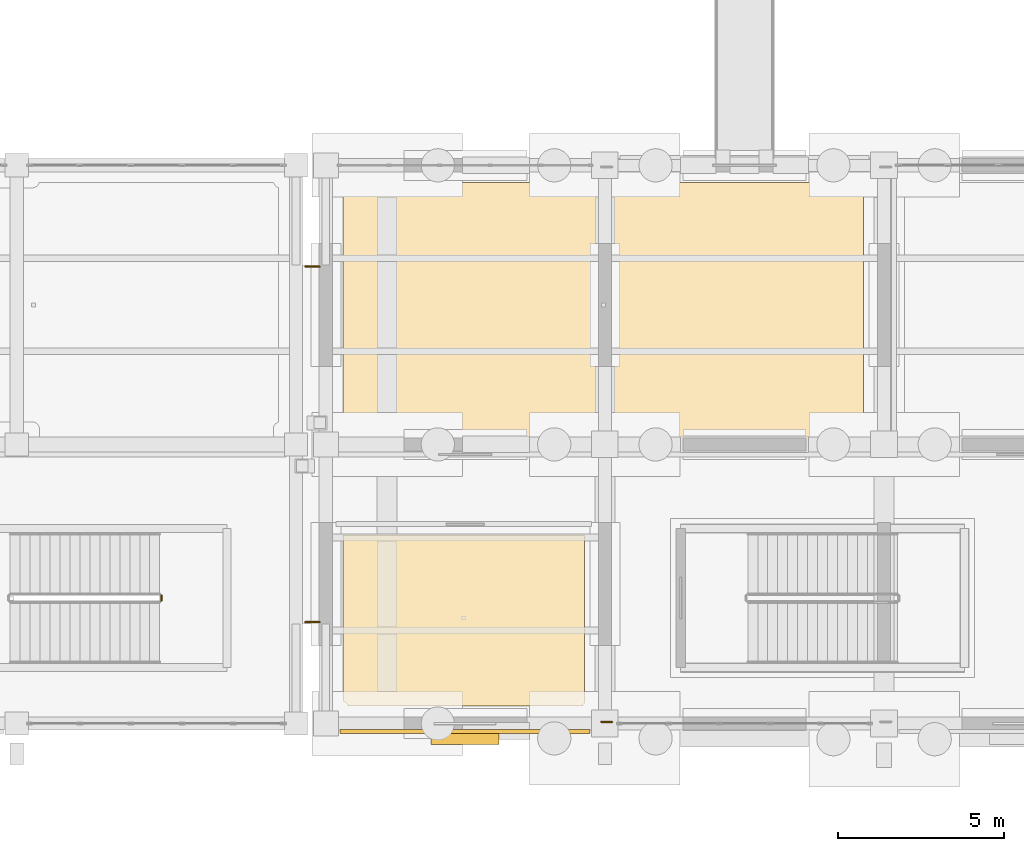
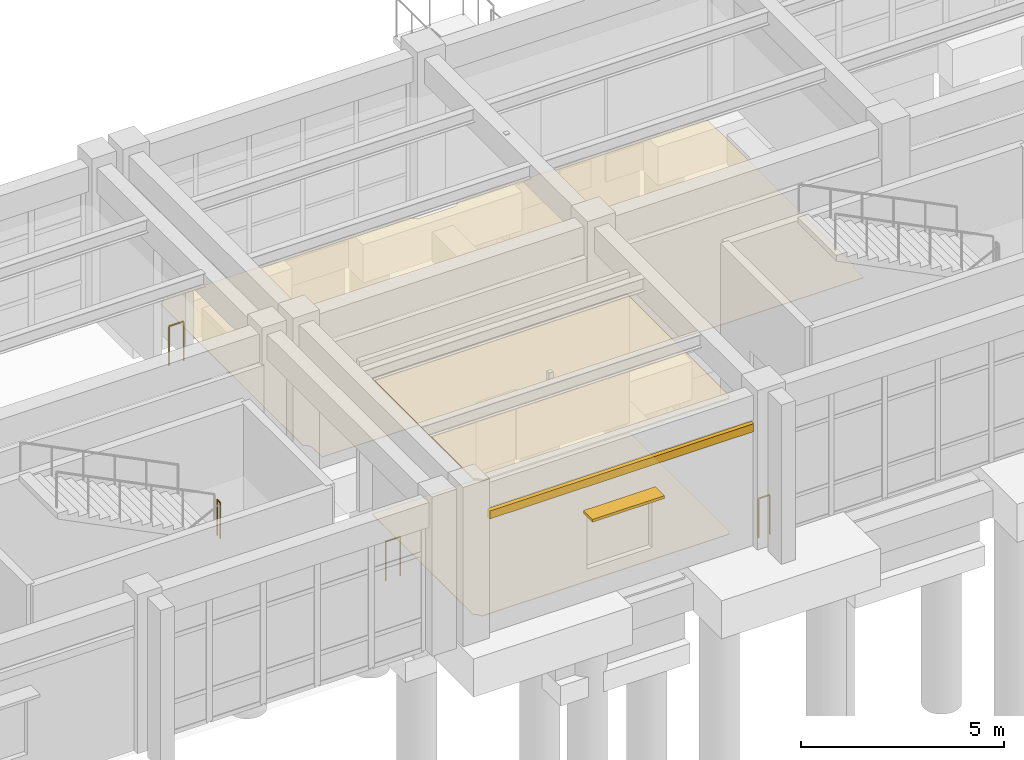
# One storey, part 98 of 111: 4 coverings, 4 railings, 1 shading device.
"""IFC4 building model written with IfcOpenShell, lengths in metres."""

from ifc_helpers import new_model, si_unit, direction, frame, origin, origin_2d, place, context, subcontext, project, spatial, polyline, rectangle, circle, outline, extrude, material, layer, layer_set, type_object, element, save


model = new_model("IFC4")

# Units and contexts
model_context = context("Model", 3, precision=1e-05, world=origin(), true_north=direction((0.0, 1.0)))
body_context = subcontext(model_context, "Body", "Model", "MODEL_VIEW")
ifc_project = project(units=[si_unit("LENGTHUNIT", "METRE"), si_unit("AREAUNIT", "SQUARE_METRE"), si_unit("VOLUMEUNIT", "CUBIC_METRE"), si_unit("PLANEANGLEUNIT", "RADIAN"), si_unit("MASSUNIT", "GRAM", prefix="KILO")], contexts=[model_context])

# Site, building, storey
site_placement = place(None, origin())
site = spatial("IfcSite", under=ifc_project, at=site_placement, CompositionType="ELEMENT")
building_placement = place(site_placement, origin())
building = spatial("IfcBuilding", under=site, at=building_placement, Name="Canglan Escarpment Cableway Terminal", CompositionType="ELEMENT")
storey_placement = place(building_placement, frame((0.0, 0.0, 4.800048828125)))
storey = spatial("IfcBuildingStorey", under=building, at=storey_placement, Name="L01", CompositionType="ELEMENT", Elevation=4.800048828125)

# Coverings
ifc_material_1 = material(Name="Micro-perforated acoustic aluminium ceiling", Category="aluminium")
ifc_layer_1 = layer(ifc_material_1, 0.0400390625, Name="Micro-perforated acoustic aluminium ceiling")
ifc_layer_set_1 = layer_set([ifc_layer_1], Name="Micro-perforated acoustic aluminium ceiling")
covering_type_1 = type_object("IfcCoveringType", Name="COV-CEIL-ACOUSTIC-40", PredefinedType="CEILING", material=ifc_layer_set_1)
covering_1_placement = place(storey_placement, frame((0.0, 0.0, 4.079833984375)))
element("IfcCovering", 1, at=covering_1_placement, inside=storey, type_object=covering_type_1, Name="Guided Trekking Desk suspended acoustic ceiling", PredefinedType="CEILING", context=body_context, shape_type="SweptSolid", body=[
    extrude(outline(polyline([(77.533203125, 8.667236328125), (77.531494140625, 8.66796875), (77.52978515625, 8.668701171875), (77.5283203125, 8.669921875), (77.52685546875, 8.6708984375), (77.525390625, 8.67236328125), (77.524169921875, 8.673583984375), (77.523193359375, 8.67529296875), (77.522216796875, 8.677001953125), (77.521484375, 8.6787109375), (77.520751953125, 8.680419921875), (77.5205078125, 8.68212890625), (77.52001953125, 8.68408203125), (77.52001953125, 8.68603515625), (77.52001953125, 13.659912109375), (77.52001953125, 13.662109375), (77.5205078125, 13.663818359375), (77.52099609375, 13.665771484375), (77.521484375, 13.667724609375), (77.5224609375, 13.66943359375), (77.5234375, 13.671142578125), (77.5244140625, 13.672607421875), (77.52587890625, 13.674072265625), (77.52734375, 13.675537109375), (77.52880859375, 13.676513671875), (77.530517578125, 13.677490234375), (77.5322265625, 13.678466796875), (77.5341796875, 13.67919921875), (77.5361328125, 13.6796875), (77.5380859375, 13.679931640625), (77.5400390625, 13.679931640625), (84.760009765625, 13.679931640625), (84.761962890625, 13.679931640625), (84.763916015625, 13.6796875), (84.765869140625, 13.67919921875), (84.767578125, 13.678466796875), (84.769287109375, 13.677490234375), (84.77099609375, 13.676513671875), (84.772705078125, 13.675537109375), (84.774169921875, 13.674072265625), (84.775390625, 13.672607421875), (84.776611328125, 13.671142578125), (84.777587890625, 13.66943359375), (84.778564453125, 13.667724609375), (84.779052734375, 13.665771484375), (84.779541015625, 13.663818359375), (84.77978515625, 13.662109375), (84.780029296875, 13.659912109375), (84.780029296875, 8.618408203125), (84.77978515625, 8.6162109375), (84.779541015625, 8.6142578125), (84.779052734375, 8.6123046875), (84.7783203125, 8.610107421875), (84.77734375, 8.6083984375), (84.776123046875, 8.606689453125), (84.77490234375, 8.60498046875), (84.770263671875, 8.599853515625), (84.76953125, 8.59912109375), (84.75732421875, 8.58251953125), (84.7568359375, 8.581787109375), (84.74609375, 8.564208984375), (84.745849609375, 8.563232421875), (84.737060546875, 8.544677734375), (84.736572265625, 8.543701171875), (84.73291015625, 8.533203125), (84.732177734375, 8.531494140625), (84.731201171875, 8.52978515625), (84.730224609375, 8.5283203125), (84.72900390625, 8.52685546875), (84.727783203125, 8.525390625), (84.726318359375, 8.524169921875), (84.724609375, 8.523193359375), (84.72314453125, 8.522216796875), (84.721435546875, 8.521484375), (84.719482421875, 8.520751953125), (84.7177734375, 8.5205078125), (84.7158203125, 8.52001953125), (84.714111328125, 8.52001953125), (77.68603515625, 8.52001953125), (77.68408203125, 8.52001953125), (77.68212890625, 8.5205078125), (77.680419921875, 8.520751953125), (77.6787109375, 8.521484375), (77.677001953125, 8.522216796875), (77.67529296875, 8.523193359375), (77.673583984375, 8.524169921875), (77.67236328125, 8.525390625), (77.6708984375, 8.52685546875), (77.669921875, 8.5283203125), (77.668701171875, 8.52978515625), (77.66796875, 8.531494140625), (77.667236328125, 8.533203125), (77.663330078125, 8.543701171875), (77.6630859375, 8.544677734375), (77.654296875, 8.563232421875), (77.65380859375, 8.564208984375), (77.643310546875, 8.581787109375), (77.642578125, 8.58251953125), (77.63037109375, 8.59912109375), (77.629638671875, 8.599853515625), (77.615966796875, 8.615234375), (77.615234375, 8.615966796875), (77.599853515625, 8.629638671875), (77.59912109375, 8.63037109375), (77.58251953125, 8.642578125), (77.581787109375, 8.643310546875), (77.564208984375, 8.65380859375), (77.563232421875, 8.654296875), (77.544677734375, 8.6630859375), (77.543701171875, 8.663330078125), (77.533203125, 8.667236328125)])), origin(), (0.0, 0.0, 1.0), 0.0400390625),
])
ifc_material_2 = material(Name="Carved classical limestone cornice", Category="masonry")
ifc_layer_2 = layer(ifc_material_2, 0.1201171875, Name="Carved classical limestone cornice")
ifc_layer_set_2 = layer_set([ifc_layer_2], Name="Carved classical limestone cornice")
covering_type_2 = type_object("IfcCoveringType", Name="COV-CORNICE-STONE", PredefinedType="CLADDING", material=ifc_layer_set_2)
covering_2_placement = place(storey_placement, frame((81.1875, 7.760009765625, 3.52490234375), z_axis=(0.0, 0.0, 1.0), x_axis=(1.0, 0.0, 0.0)))
element("IfcCovering", 2, at=covering_2_placement, inside=storey, type_object=covering_type_2, Name="Classical carved limestone cornice CL-01", PredefinedType="CLADDING", context=body_context, shape_type="SweptSolid", body=[
    extrude(rectangle(XDim=7.52490234375, YDim=0.1201171875, at=origin_2d()), origin(), (0.0, 0.0, 1.0), 0.239990234375),
])
ifc_material_3 = material(Name="Polished mineral terrazzo flooring", Category="concrete")
ifc_layer_3 = layer(ifc_material_3, 0.02001953125, Name="Polished mineral terrazzo flooring")
ifc_layer_set_3 = layer_set([ifc_layer_3], Name="Polished mineral terrazzo flooring")
covering_type_3 = type_object("IfcCoveringType", Name="COV-FLR-TERRAZZO-20", PredefinedType="FLOORING", material=ifc_layer_set_3)
covering_3_placement = place(storey_placement, origin())
element("IfcCovering", 3, at=covering_3_placement, inside=storey, type_object=covering_type_3, Name="Equipment Rental Hall stone floor finish", PredefinedType="FLOORING", context=body_context, shape_type="SweptSolid", body=[
    extrude(outline(polyline([(77.533203125, 17.067138671875), (77.531494140625, 17.06787109375), (77.52978515625, 17.06884765625), (77.5283203125, 17.06982421875), (77.52685546875, 17.071044921875), (77.525390625, 17.072265625), (77.524169921875, 17.07373046875), (77.523193359375, 17.0751953125), (77.522216796875, 17.076904296875), (77.521484375, 17.07861328125), (77.520751953125, 17.080322265625), (77.5205078125, 17.082275390625), (77.52001953125, 17.083984375), (77.52001953125, 17.0859375), (77.52001953125, 24.114013671875), (77.52001953125, 24.115966796875), (77.5205078125, 24.117919921875), (77.520751953125, 24.11962890625), (77.521484375, 24.121337890625), (77.522216796875, 24.123046875), (77.523193359375, 24.124755859375), (77.524169921875, 24.126220703125), (77.525390625, 24.127685546875), (77.52685546875, 24.12890625), (77.5283203125, 24.130126953125), (77.52978515625, 24.131103515625), (77.531494140625, 24.132080078125), (77.533203125, 24.1328125), (77.543701171875, 24.13671875), (77.544677734375, 24.136962890625), (77.563232421875, 24.145751953125), (77.564208984375, 24.146240234375), (77.581787109375, 24.15673828125), (77.58251953125, 24.157470703125), (77.59912109375, 24.169677734375), (77.599853515625, 24.17041015625), (77.615234375, 24.18408203125), (77.615966796875, 24.184814453125), (77.629638671875, 24.2001953125), (77.63037109375, 24.20068359375), (77.642578125, 24.21728515625), (77.643310546875, 24.21826171875), (77.65380859375, 24.23583984375), (77.654296875, 24.23681640625), (77.6630859375, 24.25537109375), (77.663330078125, 24.25634765625), (77.667236328125, 24.2666015625), (77.66796875, 24.2685546875), (77.668701171875, 24.270263671875), (77.669921875, 24.271728515625), (77.6708984375, 24.273193359375), (77.67236328125, 24.274658203125), (77.673583984375, 24.27587890625), (77.67529296875, 24.27685546875), (77.677001953125, 24.27783203125), (77.6787109375, 24.278564453125), (77.680419921875, 24.279296875), (77.68212890625, 24.279541015625), (77.68408203125, 24.27978515625), (77.68603515625, 24.280029296875), (84.714111328125, 24.280029296875), (84.7158203125, 24.27978515625), (84.7177734375, 24.279541015625), (84.719482421875, 24.279296875), (84.721435546875, 24.278564453125), (84.72314453125, 24.27783203125), (84.724609375, 24.27685546875), (84.726318359375, 24.27587890625), (84.727783203125, 24.274658203125), (84.72900390625, 24.273193359375), (84.730224609375, 24.271728515625), (84.731201171875, 24.270263671875), (84.732177734375, 24.2685546875), (84.73291015625, 24.2666015625), (84.736572265625, 24.25634765625), (84.737060546875, 24.25537109375), (84.745849609375, 24.23681640625), (84.74609375, 24.23583984375), (84.7568359375, 24.21826171875), (84.75732421875, 24.21728515625), (84.76953125, 24.20068359375), (84.770263671875, 24.2001953125), (84.7841796875, 24.184814453125), (84.784912109375, 24.18408203125), (84.800048828125, 24.17041015625), (84.80078125, 24.169677734375), (84.8173828125, 24.157470703125), (84.818115234375, 24.15673828125), (84.8359375, 24.146240234375), (84.836669921875, 24.145751953125), (84.85546875, 24.136962890625), (84.856201171875, 24.13671875), (84.875732421875, 24.129638671875), (84.876708984375, 24.12939453125), (84.896484375, 24.124267578125), (84.897705078125, 24.124267578125), (84.91796875, 24.12109375), (84.9189453125, 24.12109375), (84.939697265625, 24.1201171875), (84.940185546875, 24.1201171875), (85.85986328125, 24.1201171875), (85.860107421875, 24.1201171875), (85.881103515625, 24.12109375), (85.882080078125, 24.12109375), (85.90234375, 24.124267578125), (85.9033203125, 24.124267578125), (85.92333984375, 24.12939453125), (85.92431640625, 24.129638671875), (85.943603515625, 24.13671875), (85.944580078125, 24.136962890625), (85.96337890625, 24.145751953125), (85.964111328125, 24.146240234375), (85.981689453125, 24.15673828125), (85.982666015625, 24.157470703125), (85.999267578125, 24.169677734375), (86.0, 24.17041015625), (86.01513671875, 24.18408203125), (86.015869140625, 24.184814453125), (86.02978515625, 24.2001953125), (86.030517578125, 24.20068359375), (86.04248046875, 24.21728515625), (86.043212890625, 24.21826171875), (86.0537109375, 24.23583984375), (86.05419921875, 24.23681640625), (86.06298828125, 24.25537109375), (86.0634765625, 24.25634765625), (86.067138671875, 24.2666015625), (86.06787109375, 24.2685546875), (86.06884765625, 24.270263671875), (86.06982421875, 24.271728515625), (86.071044921875, 24.273193359375), (86.072265625, 24.274658203125), (86.07373046875, 24.27587890625), (86.0751953125, 24.27685546875), (86.076904296875, 24.27783203125), (86.07861328125, 24.278564453125), (86.080322265625, 24.279296875), (86.082275390625, 24.279541015625), (86.083984375, 24.27978515625), (86.0859375, 24.280029296875), (93.114013671875, 24.280029296875), (93.115966796875, 24.27978515625), (93.117919921875, 24.279541015625), (93.11962890625, 24.279296875), (93.121337890625, 24.278564453125), (93.123046875, 24.27783203125), (93.124755859375, 24.27685546875), (93.126220703125, 24.27587890625), (93.127685546875, 24.274658203125), (93.12890625, 24.273193359375), (93.130126953125, 24.271728515625), (93.131103515625, 24.270263671875), (93.132080078125, 24.2685546875), (93.1328125, 24.2666015625), (93.13671875, 24.25634765625), (93.136962890625, 24.25537109375), (93.145751953125, 24.23681640625), (93.146240234375, 24.23583984375), (93.15673828125, 24.21826171875), (93.157470703125, 24.21728515625), (93.169677734375, 24.20068359375), (93.17041015625, 24.2001953125), (93.1748046875, 24.195068359375), (93.176025390625, 24.193359375), (93.17724609375, 24.191650390625), (93.17822265625, 24.189697265625), (93.178955078125, 24.187744140625), (93.1796875, 24.185791015625), (93.179931640625, 24.18359375), (93.179931640625, 24.181640625), (93.179931640625, 17.018310546875), (93.179931640625, 17.016357421875), (93.1796875, 17.01416015625), (93.178955078125, 17.01220703125), (93.17822265625, 17.01025390625), (93.17724609375, 17.00830078125), (93.176025390625, 17.006591796875), (93.1748046875, 17.0048828125), (93.17041015625, 17.0), (93.169677734375, 16.999267578125), (93.157470703125, 16.982666015625), (93.15673828125, 16.981689453125), (93.146240234375, 16.964111328125), (93.145751953125, 16.96337890625), (93.136962890625, 16.944580078125), (93.13671875, 16.943603515625), (93.129638671875, 16.92431640625), (93.12939453125, 16.92333984375), (93.124267578125, 16.9033203125), (93.124267578125, 16.90234375), (93.12109375, 16.882080078125), (93.12109375, 16.881103515625), (93.1201171875, 16.860107421875), (93.1201171875, 16.85986328125), (93.1201171875, 16.43994140625), (93.119873046875, 16.43798828125), (93.11962890625, 16.43603515625), (93.119140625, 16.43408203125), (93.118408203125, 16.432373046875), (93.11767578125, 16.4306640625), (93.11669921875, 16.428955078125), (93.115478515625, 16.42724609375), (93.114013671875, 16.42578125), (93.11279296875, 16.424560546875), (93.111083984375, 16.42333984375), (93.109375, 16.42236328125), (93.107666015625, 16.42138671875), (93.105712890625, 16.4208984375), (93.10400390625, 16.42041015625), (93.10205078125, 16.420166015625), (93.10009765625, 16.419921875), (86.10009765625, 16.419921875), (86.097900390625, 16.420166015625), (86.09619140625, 16.42041015625), (86.09423828125, 16.4208984375), (86.09228515625, 16.42138671875), (86.090576171875, 16.42236328125), (86.0888671875, 16.42333984375), (86.08740234375, 16.424560546875), (86.0859375, 16.42578125), (86.08447265625, 16.42724609375), (86.08349609375, 16.428955078125), (86.08251953125, 16.4306640625), (86.08154296875, 16.432373046875), (86.080810546875, 16.43408203125), (86.080322265625, 16.43603515625), (86.080078125, 16.43798828125), (86.080078125, 16.43994140625), (86.080078125, 16.85986328125), (86.080078125, 16.860107421875), (86.0791015625, 16.881103515625), (86.078857421875, 16.882080078125), (86.07568359375, 16.90234375), (86.07568359375, 16.9033203125), (86.070556640625, 16.92333984375), (86.0703125, 16.92431640625), (86.0634765625, 16.943603515625), (86.06298828125, 16.944580078125), (86.05419921875, 16.96337890625), (86.0537109375, 16.964111328125), (86.043212890625, 16.981689453125), (86.04248046875, 16.982666015625), (86.030517578125, 16.999267578125), (86.02978515625, 17.0), (86.015869140625, 17.01513671875), (86.01513671875, 17.015869140625), (86.0, 17.02978515625), (85.999267578125, 17.030517578125), (85.982666015625, 17.04248046875), (85.981689453125, 17.043212890625), (85.964111328125, 17.0537109375), (85.96337890625, 17.05419921875), (85.944580078125, 17.06298828125), (85.943603515625, 17.0634765625), (85.92431640625, 17.0703125), (85.92333984375, 17.070556640625), (85.9033203125, 17.07568359375), (85.90234375, 17.07568359375), (85.882080078125, 17.078857421875), (85.881103515625, 17.0791015625), (85.860107421875, 17.080078125), (85.85986328125, 17.080078125), (84.940185546875, 17.080078125), (84.939697265625, 17.080078125), (84.9189453125, 17.0791015625), (84.91796875, 17.078857421875), (84.897705078125, 17.07568359375), (84.896484375, 17.07568359375), (84.876708984375, 17.070556640625), (84.875732421875, 17.0703125), (84.856201171875, 17.0634765625), (84.85546875, 17.06298828125), (84.836669921875, 17.05419921875), (84.8359375, 17.0537109375), (84.818115234375, 17.043212890625), (84.8173828125, 17.04248046875), (84.80078125, 17.030517578125), (84.800048828125, 17.02978515625), (84.784912109375, 17.015869140625), (84.7841796875, 17.01513671875), (84.770263671875, 17.0), (84.76953125, 16.999267578125), (84.75732421875, 16.982666015625), (84.7568359375, 16.981689453125), (84.74609375, 16.964111328125), (84.745849609375, 16.96337890625), (84.737060546875, 16.944580078125), (84.736572265625, 16.943603515625), (84.7294921875, 16.92431640625), (84.7294921875, 16.92333984375), (84.724365234375, 16.9033203125), (84.72412109375, 16.90234375), (84.72119140625, 16.882080078125), (84.720947265625, 16.881103515625), (84.719970703125, 16.860107421875), (84.719970703125, 16.85986328125), (84.719970703125, 16.43994140625), (84.719970703125, 16.43798828125), (84.719482421875, 16.43603515625), (84.718994140625, 16.43408203125), (84.718505859375, 16.432373046875), (84.717529296875, 16.4306640625), (84.716552734375, 16.428955078125), (84.715576171875, 16.42724609375), (84.714111328125, 16.42578125), (84.712646484375, 16.424560546875), (84.711181640625, 16.42333984375), (84.70947265625, 16.42236328125), (84.707763671875, 16.42138671875), (84.705810546875, 16.4208984375), (84.703857421875, 16.42041015625), (84.701904296875, 16.420166015625), (84.699951171875, 16.419921875), (77.699951171875, 16.419921875), (77.697998046875, 16.420166015625), (77.696044921875, 16.42041015625), (77.694091796875, 16.4208984375), (77.6923828125, 16.42138671875), (77.690673828125, 16.42236328125), (77.68896484375, 16.42333984375), (77.687255859375, 16.424560546875), (77.685791015625, 16.42578125), (77.6845703125, 16.42724609375), (77.683349609375, 16.428955078125), (77.682373046875, 16.4306640625), (77.681396484375, 16.432373046875), (77.680908203125, 16.43408203125), (77.680419921875, 16.43603515625), (77.68017578125, 16.43798828125), (77.679931640625, 16.43994140625), (77.679931640625, 16.85986328125), (77.679931640625, 16.860107421875), (77.678955078125, 16.881103515625), (77.678955078125, 16.882080078125), (77.67578125, 16.90234375), (77.67578125, 16.9033203125), (77.670654296875, 16.92333984375), (77.67041015625, 16.92431640625), (77.663330078125, 16.943603515625), (77.6630859375, 16.944580078125), (77.654296875, 16.96337890625), (77.65380859375, 16.964111328125), (77.643310546875, 16.981689453125), (77.642578125, 16.982666015625), (77.63037109375, 16.999267578125), (77.629638671875, 17.0), (77.615966796875, 17.01513671875), (77.615234375, 17.015869140625), (77.599853515625, 17.02978515625), (77.59912109375, 17.030517578125), (77.58251953125, 17.04248046875), (77.581787109375, 17.043212890625), (77.564208984375, 17.0537109375), (77.563232421875, 17.05419921875), (77.544677734375, 17.06298828125), (77.543701171875, 17.0634765625), (77.533203125, 17.067138671875)])), origin(), (0.0, 0.0, 1.0), 0.02001953125),
])
covering_4_placement = place(storey_placement, origin())
element("IfcCovering", 4, at=covering_4_placement, inside=storey, type_object=covering_type_3, Name="Guided Trekking Desk stone floor finish", PredefinedType="FLOORING", context=body_context, shape_type="SweptSolid", body=[
    extrude(outline(polyline([(77.533203125, 8.667236328125), (77.531494140625, 8.66796875), (77.52978515625, 8.668701171875), (77.5283203125, 8.669921875), (77.52685546875, 8.6708984375), (77.525390625, 8.67236328125), (77.524169921875, 8.673583984375), (77.523193359375, 8.67529296875), (77.522216796875, 8.677001953125), (77.521484375, 8.6787109375), (77.520751953125, 8.680419921875), (77.5205078125, 8.68212890625), (77.52001953125, 8.68408203125), (77.52001953125, 8.68603515625), (77.52001953125, 13.659912109375), (77.52001953125, 13.662109375), (77.5205078125, 13.663818359375), (77.52099609375, 13.665771484375), (77.521484375, 13.667724609375), (77.5224609375, 13.66943359375), (77.5234375, 13.671142578125), (77.5244140625, 13.672607421875), (77.52587890625, 13.674072265625), (77.52734375, 13.675537109375), (77.52880859375, 13.676513671875), (77.530517578125, 13.677490234375), (77.5322265625, 13.678466796875), (77.5341796875, 13.67919921875), (77.5361328125, 13.6796875), (77.5380859375, 13.679931640625), (77.5400390625, 13.679931640625), (84.760009765625, 13.679931640625), (84.761962890625, 13.679931640625), (84.763916015625, 13.6796875), (84.765869140625, 13.67919921875), (84.767578125, 13.678466796875), (84.769287109375, 13.677490234375), (84.77099609375, 13.676513671875), (84.772705078125, 13.675537109375), (84.774169921875, 13.674072265625), (84.775390625, 13.672607421875), (84.776611328125, 13.671142578125), (84.777587890625, 13.66943359375), (84.778564453125, 13.667724609375), (84.779052734375, 13.665771484375), (84.779541015625, 13.663818359375), (84.77978515625, 13.662109375), (84.780029296875, 13.659912109375), (84.780029296875, 8.618408203125), (84.77978515625, 8.6162109375), (84.779541015625, 8.6142578125), (84.779052734375, 8.6123046875), (84.7783203125, 8.610107421875), (84.77734375, 8.6083984375), (84.776123046875, 8.606689453125), (84.77490234375, 8.60498046875), (84.770263671875, 8.599853515625), (84.76953125, 8.59912109375), (84.75732421875, 8.58251953125), (84.7568359375, 8.581787109375), (84.74609375, 8.564208984375), (84.745849609375, 8.563232421875), (84.737060546875, 8.544677734375), (84.736572265625, 8.543701171875), (84.73291015625, 8.533203125), (84.732177734375, 8.531494140625), (84.731201171875, 8.52978515625), (84.730224609375, 8.5283203125), (84.72900390625, 8.52685546875), (84.727783203125, 8.525390625), (84.726318359375, 8.524169921875), (84.724609375, 8.523193359375), (84.72314453125, 8.522216796875), (84.721435546875, 8.521484375), (84.719482421875, 8.520751953125), (84.7177734375, 8.5205078125), (84.7158203125, 8.52001953125), (84.714111328125, 8.52001953125), (77.68603515625, 8.52001953125), (77.68408203125, 8.52001953125), (77.68212890625, 8.5205078125), (77.680419921875, 8.520751953125), (77.6787109375, 8.521484375), (77.677001953125, 8.522216796875), (77.67529296875, 8.523193359375), (77.673583984375, 8.524169921875), (77.67236328125, 8.525390625), (77.6708984375, 8.52685546875), (77.669921875, 8.5283203125), (77.668701171875, 8.52978515625), (77.66796875, 8.531494140625), (77.667236328125, 8.533203125), (77.663330078125, 8.543701171875), (77.6630859375, 8.544677734375), (77.654296875, 8.563232421875), (77.65380859375, 8.564208984375), (77.643310546875, 8.581787109375), (77.642578125, 8.58251953125), (77.63037109375, 8.59912109375), (77.629638671875, 8.599853515625), (77.615966796875, 8.615234375), (77.615234375, 8.615966796875), (77.599853515625, 8.629638671875), (77.59912109375, 8.63037109375), (77.58251953125, 8.642578125), (77.581787109375, 8.643310546875), (77.564208984375, 8.65380859375), (77.563232421875, 8.654296875), (77.544677734375, 8.6630859375), (77.543701171875, 8.663330078125), (77.533203125, 8.667236328125)])), origin(), (0.0, 0.0, 1.0), 0.02001953125),
])

# Railings
ifc_material_4 = material(Name="Carved limestone and anodized bronze balustrade", Category="masonry")
railing_type_1 = type_object("IfcRailingType", Name="RL-EXT-BALUSTRADE-1200", PredefinedType="BALUSTRADE", material=ifc_material_4)
railing_1_placement = place(storey_placement, frame((76.389892578125, 21.75, 0.0)))
element("IfcRailing", 5, at=railing_1_placement, inside=storey, type_object=railing_type_1, Name="Classical terrace balustrade guard GD-01 (L01)", PredefinedType="BALUSTRADE", context=body_context, shape_type="SweptSolid", body=[
    extrude(circle(Radius=0.02392578125, at=origin_2d()), frame((0.0, 0.0, 1.17578125), z_axis=(1.0, 0.0, 0.0), x_axis=(0.0, 1.0, 0.0)), (0.0, 0.0, 1.0), 0.420166015625),
    extrude(circle(Radius=0.02099609375, at=origin_2d()), origin(), (0.0, 0.0, 1.0), 1.15185546875),
    extrude(circle(Radius=0.02099609375, at=origin_2d()), frame((0.420166015625, 0.0, 0.0)), (0.0, 0.0, 1.0), 1.15185546875),
])
railing_2_placement = place(storey_placement, frame((85.610107421875, 8.050048828125, 0.0)))
element("IfcRailing", 6, at=railing_2_placement, inside=storey, type_object=railing_type_1, Name="Classical terrace balustrade guard GD-01 (L01)", PredefinedType="BALUSTRADE", context=body_context, shape_type="SweptSolid", body=[
    extrude(circle(Radius=0.02392578125, at=origin_2d()), frame((0.0, 0.0, 1.17578125), z_axis=(-1.0, 0.0, 0.0), x_axis=(0.0, -1.0, 0.0)), (0.0, 0.0, 1.0), 0.320068359375),
    extrude(circle(Radius=0.02099609375, at=origin_2d()), origin(), (0.0, 0.0, 1.0), 1.15185546875),
    extrude(circle(Radius=0.02099609375, at=origin_2d()), frame((-0.320068359375, 0.0, 0.0)), (0.0, 0.0, 1.0), 1.15185546875),
])
railing_3_placement = place(storey_placement, frame((76.81005859375, 11.050048828125, 0.0)))
element("IfcRailing", 7, at=railing_3_placement, inside=storey, type_object=railing_type_1, Name="Classical terrace balustrade guard GD-01 (L01)", PredefinedType="BALUSTRADE", context=body_context, shape_type="SweptSolid", body=[
    extrude(circle(Radius=0.02392578125, at=origin_2d()), frame((0.0, 0.0, 1.17578125), z_axis=(-1.0, 0.0, 0.0), x_axis=(0.0, -1.0, 0.0)), (0.0, 0.0, 1.0), 0.420166015625),
    extrude(circle(Radius=0.02099609375, at=origin_2d()), origin(), (0.0, 0.0, 1.0), 1.15185546875),
    extrude(circle(Radius=0.02099609375, at=origin_2d()), frame((-0.420166015625, 0.0, 0.0)), (0.0, 0.0, 1.0), 1.15185546875),
])
ifc_material_5 = material(Name="Powder-coated steel stair balustrade", Category="steel")
railing_type_2 = type_object("IfcRailingType", Name="RL-STR-GUARD-1100", PredefinedType="BALUSTRADE", material=ifc_material_5)
railing_4_placement = place(storey_placement, frame((72.050048828125, 11.699951171875, 2.39990234375)))
element("IfcRailing", 8, at=railing_4_placement, inside=storey, type_object=railing_type_2, Name="L01 ST-05 stair guard 2", PredefinedType="BALUSTRADE", context=body_context, shape_type="SweptSolid", body=[
    extrude(circle(Radius=0.02392578125, at=origin_2d()), frame((0.0, 0.0, 1.076171875), z_axis=(0.0, 1.0, 0.0), x_axis=(-1.0, 0.0, 0.0)), (0.0, 0.0, 1.0), 0.150146484375),
    extrude(circle(Radius=0.02099609375, at=origin_2d()), origin(), (0.0, 0.0, 1.0), 1.052001953125),
    extrude(circle(Radius=0.02099609375, at=origin_2d()), frame((0.0, 0.150146484375, 0.0)), (0.0, 0.0, 1.0), 1.052001953125),
])

# Shading device
ifc_material_6 = material(Name="Anodized architectural bronze aluminium", Category="aluminium")
ifc_layer_4 = layer(ifc_material_6, 0.10009765625, Name="Anodized architectural bronze aluminium")
ifc_layer_set_4 = layer_set([ifc_layer_4], Name="Anodized architectural bronze aluminium")
shading_device_type = type_object("IfcShadingDeviceType", Name="SHD-BRONZE-LOUVRE-02", PredefinedType="JALOUSIE", material=ifc_layer_set_4)
shading_device_placement = place(storey_placement, frame((81.1875, 7.594970703125, 2.669921875), z_axis=(0.0, 0.0, 1.0), x_axis=(1.0, 0.0, 0.0)))
element("IfcShadingDevice", 9, at=shading_device_placement, inside=storey, type_object=shading_device_type, Name="Anodized bronze sun-shading brise-soleil SD-01", PredefinedType="JALOUSIE", context=body_context, shape_type="SweptSolid", body=[
    extrude(rectangle(XDim=2.050048828125, YDim=0.449951171875, at=origin_2d()), origin(), (0.0, 0.0, 1.0), 0.080078125),
])

save(model, "model.ifc")
